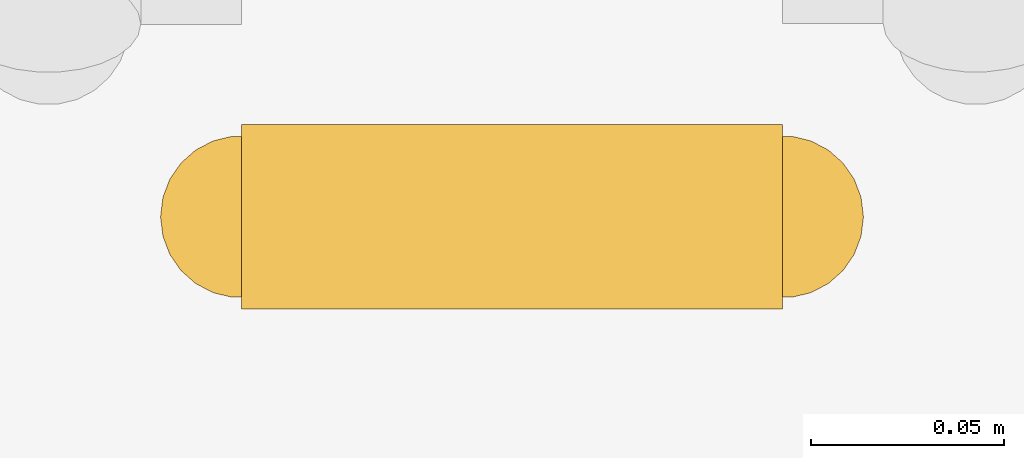
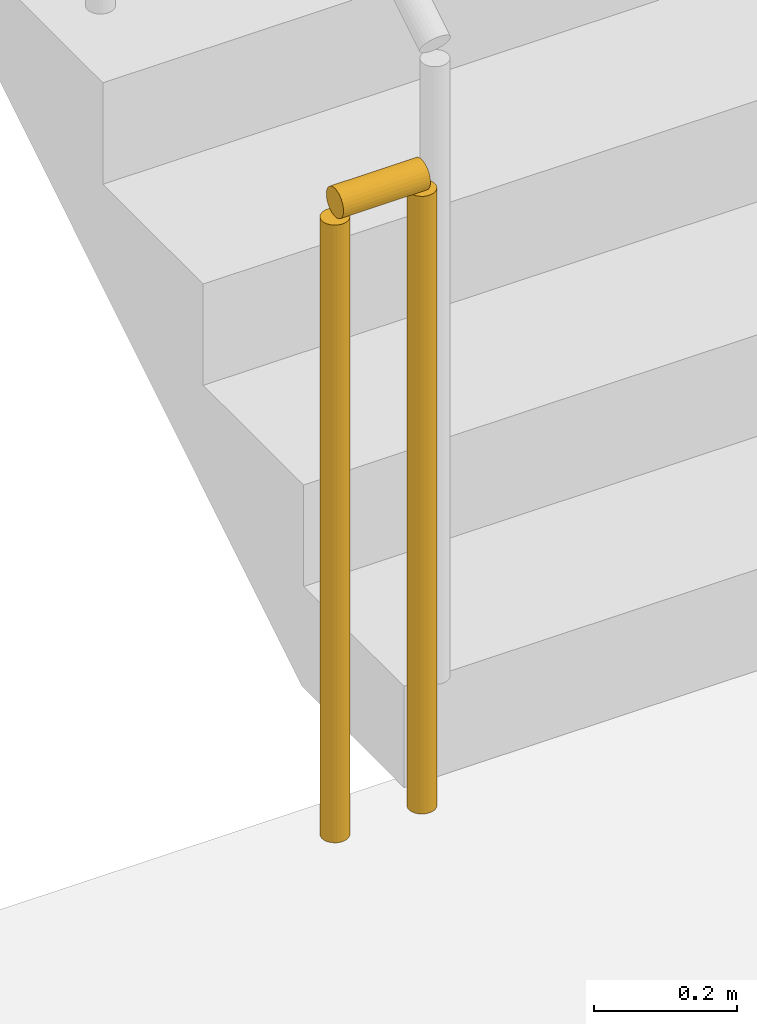
# One storey, part 11 of 14: 1 railing.
"""IFC4 building model written with IfcOpenShell, lengths in metres."""

from ifc_helpers import new_model, si_unit, direction, frame, origin, origin_2d, place, context, subcontext, project, spatial, circle, extrude, material, type_object, element, save


model = new_model("IFC4")

# Units and contexts
model_context = context("Model", 3, precision=1e-05, world=origin(), true_north=direction((0.0, 1.0)))
body_context = subcontext(model_context, "Body", "Model", "MODEL_VIEW")
ifc_project = project(units=[si_unit("LENGTHUNIT", "METRE"), si_unit("AREAUNIT", "SQUARE_METRE"), si_unit("VOLUMEUNIT", "CUBIC_METRE"), si_unit("PLANEANGLEUNIT", "RADIAN"), si_unit("MASSUNIT", "GRAM", prefix="KILO")], contexts=[model_context])

# Site, building, storey
site_placement = place(None, origin())
site = spatial("IfcSite", under=ifc_project, at=site_placement, CompositionType="ELEMENT")
building_placement = place(site_placement, origin())
building = spatial("IfcBuilding", under=site, at=building_placement, Name="Kemercrest Conservatory and Botanical Centre", CompositionType="ELEMENT")
storey_placement = place(building_placement, frame((0.0, 0.0, 44.39990234375)))
storey = spatial("IfcBuildingStorey", under=building, at=storey_placement, Name="L11", CompositionType="ELEMENT", Elevation=44.39990234375)

# Railing
ifc_material = material(Name="Painted galvanized steel tubular stair guardrail", Category="steel")
railing_type = type_object("IfcRailingType", Name="GR-STR110", PredefinedType="GUARDRAIL", material=ifc_material)
railing_placement = place(storey_placement, frame((152.820068359375, 106.7900390625, 0.0)))
element("IfcRailing", 1, at=railing_placement, inside=storey, type_object=railing_type, Name="L11 ST-V4A stair guard 4", PredefinedType="GUARDRAIL", context=body_context, shape_type="SweptSolid", body=[
    extrude(circle(Radius=0.02392578125, at=origin_2d()), frame((0.0, 0.0, 1.076171875), z_axis=(-1.0, 0.0, 0.0), x_axis=(0.0, -1.0, 0.0)), (0.0, 0.0, 1.0), 0.14013671875),
    extrude(circle(Radius=0.02099609375, at=origin_2d()), origin(), (0.0, 0.0, 1.0), 1.052001953125),
    extrude(circle(Radius=0.02099609375, at=origin_2d()), frame((-0.14013671875, 0.0, 0.0)), (0.0, 0.0, 1.0), 1.052001953125),
])

save(model, "model.ifc")
